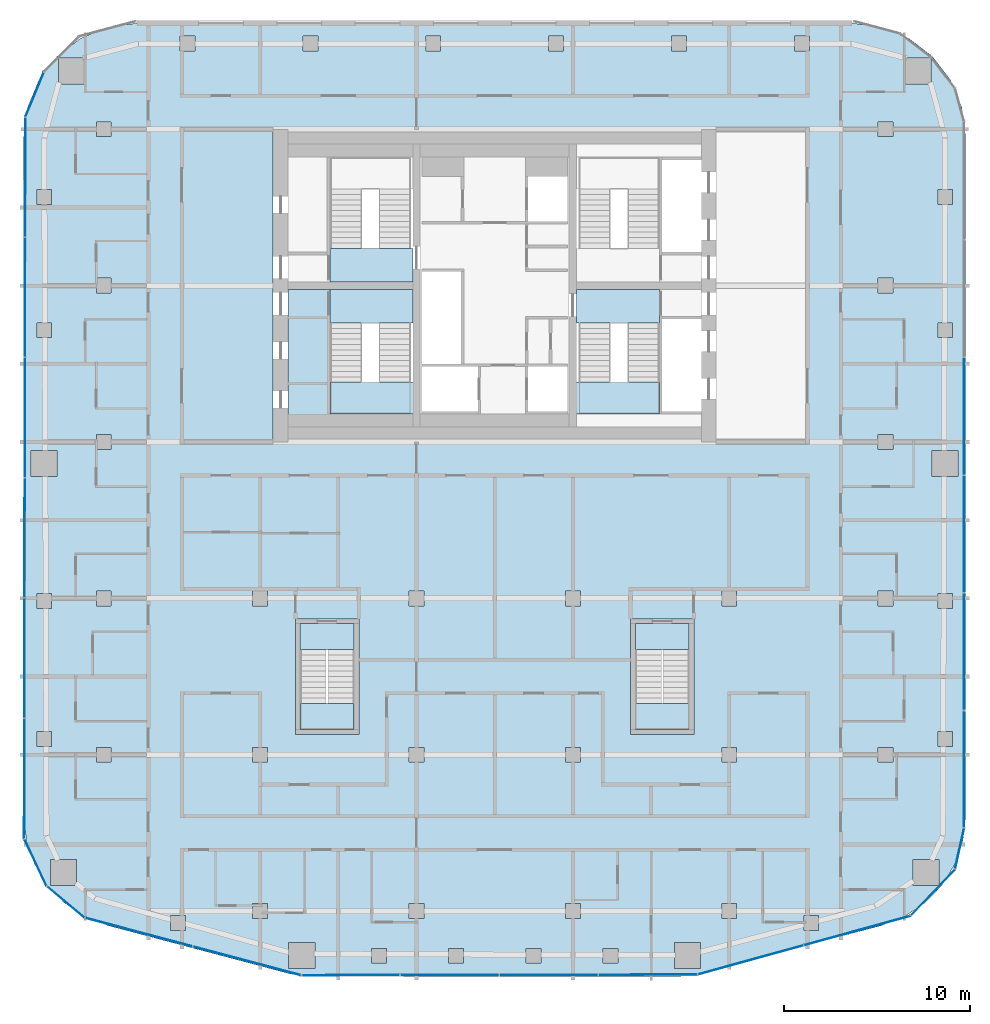
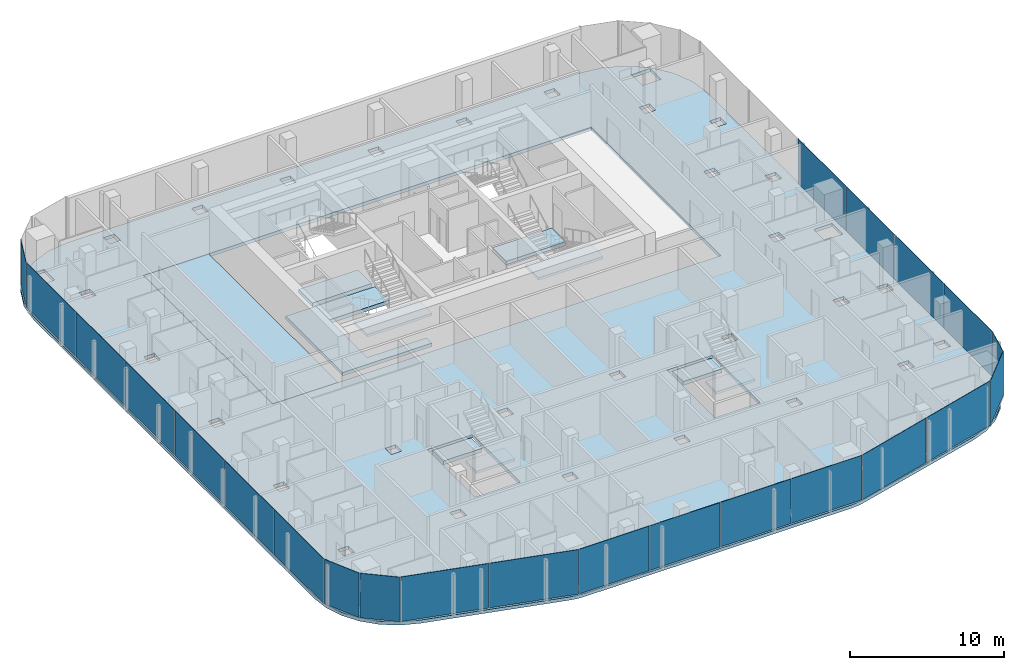
# One storey, part 12 of 22: 23 plates, 12 slabs, 14 elements without a shape of their own.
"""IFC4 building model written with IfcOpenShell, lengths in metres."""

from ifc_helpers import new_model, si_unit, direction, frame, origin, origin_2d, place, context, subcontext, project, spatial, polyline, rectangle, outline, extrude, material, layer, layer_set, type_object, element, aggregate, save


model = new_model("IFC4")

# Units and contexts
model_context = context("Model", 3, precision=1e-05, world=origin(), true_north=direction((0.0, 1.0)))
body_context = subcontext(model_context, "Body", "Model", "MODEL_VIEW")
ifc_project = project(units=[si_unit("LENGTHUNIT", "METRE"), si_unit("AREAUNIT", "SQUARE_METRE"), si_unit("VOLUMEUNIT", "CUBIC_METRE"), si_unit("PLANEANGLEUNIT", "RADIAN"), si_unit("MASSUNIT", "GRAM", prefix="KILO")], contexts=[model_context])

# Site, building, storey
site_placement = place(None, origin())
site = spatial("IfcSite", under=ifc_project, at=site_placement, CompositionType="ELEMENT")
building_placement = place(site_placement, origin())
building = spatial("IfcBuilding", under=site, at=building_placement, Name="Marenta Gate Hotel Tower", CompositionType="ELEMENT")
storey_placement = place(building_placement, frame((0.0, 0.0, 194.89990234375)))
storey = spatial("IfcBuildingStorey", under=building, at=storey_placement, Name="L44", CompositionType="ELEMENT", Elevation=194.89990234375)

# Slabs
ifc_material_1 = material(Name="Concrete C35", Category="concrete")
ifc_layer_1 = layer(ifc_material_1, 0.260009765625)
ifc_layer_set_1 = layer_set([ifc_layer_1], Name="Concrete C35")
slab_type_1 = type_object("IfcSlabType", Name="Concrete floor slab 260", PredefinedType="FLOOR", material=ifc_layer_set_1)
slab_1_placement = place(storey_placement, frame((0.0, 0.0, -0.260009765625)))
element("IfcSlab", 1, at=slab_1_placement, inside=storey, type_object=slab_type_1, Name="L44-SL-1", PredefinedType="FLOOR", context=body_context, shape_type="SweptSolid", body=[
    extrude(outline(polyline([(-23.11376953125, -24.76416015625), (-24.035400390625, -23.803955078125), (-24.72705078125, -22.6669921875), (-25.155517578125, -21.4072265625), (-25.300048828125, -20.08984375), (-25.300048828125, 16.406494140625), (-25.093017578125, 17.97900390625), (-24.483642578125, 19.450439453125), (-23.513916015625, 20.7138671875), (-22.25048828125, 21.68359375), (-20.779052734375, 22.29296875), (-19.20654296875, 22.5), (19.20654296875, 22.5), (20.779052734375, 22.29296875), (22.25048828125, 21.68359375), (23.513916015625, 20.7138671875), (24.483642578125, 19.450439453125), (25.093017578125, 17.97900390625), (25.300048828125, 16.406494140625), (25.300048828125, -20.08984375), (25.155517578125, -21.4072265625), (24.72705078125, -22.6669921875), (24.035400390625, -23.803955078125), (23.11376953125, -24.76416015625), (22.005859375, -25.501220703125), (20.76953125, -25.978759765625), (11.026611328125, -28.563720703125), (10.508544921875, -28.665771484375), (9.981689453125, -28.699951171875), (-9.981689453125, -28.699951171875), (-10.508544921875, -28.665771484375), (-11.026611328125, -28.563720703125), (-20.76953125, -25.978759765625), (-22.005859375, -25.501220703125), (-23.11376953125, -24.76416015625)]), holes=[polyline([(-16.800048828125, 0.0), (16.800048828125, 0.0), (16.800048828125, 16.800048828125), (-16.800048828125, 16.800048828125), (-16.800048828125, 0.0)]), polyline([(-16.606689453125, -25.439208984375), (-17.40673828125, -25.439208984375), (-17.40673828125, -26.239013671875), (-16.606689453125, -26.239013671875), (-16.606689453125, -25.439208984375)]), polyline([(-12.199951171875, -25.60009765625), (-12.199951171875, -24.800048828125), (-13.0, -24.800048828125), (-13.0, -25.60009765625), (-12.199951171875, -25.60009765625)]), polyline([(-22.462890625, -23.8330078125), (-22.462890625, -22.43310546875), (-23.863037109375, -22.43310546875), (-23.863037109375, -23.8330078125), (-22.462890625, -23.8330078125)]), polyline([(-12.199951171875, -16.39990234375), (-13.0, -16.39990234375), (-13.0, -17.199951171875), (-12.199951171875, -17.199951171875), (-12.199951171875, -16.39990234375)]), polyline([(-20.60009765625, -17.199951171875), (-20.60009765625, -16.39990234375), (-21.39990234375, -16.39990234375), (-21.39990234375, -17.199951171875), (-20.60009765625, -17.199951171875)]), polyline([(-23.800048828125, -16.351806640625), (-23.800048828125, -15.552001953125), (-24.60009765625, -15.552001953125), (-24.60009765625, -16.351806640625), (-23.800048828125, -16.351806640625)]), polyline([(-23.800048828125, -8.15087890625), (-24.60009765625, -8.15087890625), (-24.60009765625, -8.950927734375), (-23.800048828125, -8.950927734375), (-23.800048828125, -8.15087890625)]), polyline([(-12.199951171875, -8.800048828125), (-12.199951171875, -8.0), (-13.0, -8.0), (-13.0, -8.800048828125), (-12.199951171875, -8.800048828125)]), polyline([(-20.60009765625, -8.800048828125), (-20.60009765625, -8.0), (-21.39990234375, -8.0), (-21.39990234375, -8.800048828125), (-20.60009765625, -8.800048828125)]), polyline([(-23.5, -0.449951171875), (-24.89990234375, -0.449951171875), (-24.89990234375, -1.85009765625), (-23.5, -1.85009765625), (-23.5, -0.449951171875)]), polyline([(-20.60009765625, -0.39990234375), (-20.60009765625, 0.39990234375), (-21.39990234375, 0.39990234375), (-21.39990234375, -0.39990234375), (-20.60009765625, -0.39990234375)]), polyline([(-23.800048828125, 5.603271484375), (-23.800048828125, 6.4033203125), (-24.60009765625, 6.4033203125), (-24.60009765625, 5.603271484375), (-23.800048828125, 5.603271484375)]), polyline([(-20.60009765625, 8.800048828125), (-21.39990234375, 8.800048828125), (-21.39990234375, 8.0), (-20.60009765625, 8.0), (-20.60009765625, 8.800048828125)]), polyline([(-23.800048828125, 12.75634765625), (-23.800048828125, 13.556396484375), (-24.60009765625, 13.556396484375), (-24.60009765625, 12.75634765625), (-23.800048828125, 12.75634765625)]), polyline([(-20.60009765625, 16.39990234375), (-20.60009765625, 17.199951171875), (-21.39990234375, 17.199951171875), (-21.39990234375, 16.39990234375), (-20.60009765625, 16.39990234375)]), polyline([(-22.035400390625, 20.635498046875), (-23.435546875, 20.635498046875), (-23.435546875, 19.235595703125), (-22.035400390625, 19.235595703125), (-22.035400390625, 20.635498046875)]), polyline([(-16.10693359375, 21.0), (-16.10693359375, 21.800048828125), (-16.906982421875, 21.800048828125), (-16.906982421875, 21.0), (-16.10693359375, 21.0)]), polyline([(-5.820068359375, -28.0), (-5.820068359375, -27.199951171875), (-6.6201171875, -27.199951171875), (-6.6201171875, -28.0), (-5.820068359375, -28.0)]), polyline([(6.6201171875, -27.199951171875), (5.820068359375, -27.199951171875), (5.820068359375, -28.0), (6.6201171875, -28.0), (6.6201171875, -27.199951171875)]), polyline([(2.473388671875, -28.0), (2.473388671875, -27.199951171875), (1.67333984375, -27.199951171875), (1.67333984375, -28.0), (2.473388671875, -28.0)]), polyline([(-1.67333984375, -28.0), (-1.67333984375, -27.199951171875), (-2.473388671875, -27.199951171875), (-2.473388671875, -28.0), (-1.67333984375, -28.0)]), polyline([(-9.666259765625, -28.27490234375), (-9.666259765625, -26.874755859375), (-11.06640625, -26.874755859375), (-11.06640625, -28.27490234375), (-9.666259765625, -28.27490234375)]), polyline([(11.06640625, -28.27490234375), (11.06640625, -26.874755859375), (9.666259765625, -26.874755859375), (9.666259765625, -28.27490234375), (11.06640625, -28.27490234375)]), polyline([(13.0, -25.60009765625), (13.0, -24.800048828125), (12.199951171875, -24.800048828125), (12.199951171875, -25.60009765625), (13.0, -25.60009765625)]), polyline([(4.60009765625, -25.60009765625), (4.60009765625, -24.800048828125), (3.800048828125, -24.800048828125), (3.800048828125, -25.60009765625), (4.60009765625, -25.60009765625)]), polyline([(-3.800048828125, -24.800048828125), (-4.60009765625, -24.800048828125), (-4.60009765625, -25.60009765625), (-3.800048828125, -25.60009765625), (-3.800048828125, -24.800048828125)]), polyline([(4.60009765625, -17.199951171875), (4.60009765625, -16.39990234375), (3.800048828125, -16.39990234375), (3.800048828125, -17.199951171875), (4.60009765625, -17.199951171875)]), polyline([(-3.800048828125, -17.199951171875), (-3.800048828125, -16.39990234375), (-4.60009765625, -16.39990234375), (-4.60009765625, -17.199951171875), (-3.800048828125, -17.199951171875)]), polyline([(4.60009765625, -8.0), (3.800048828125, -8.0), (3.800048828125, -8.800048828125), (4.60009765625, -8.800048828125), (4.60009765625, -8.0)]), polyline([(-3.800048828125, -8.800048828125), (-3.800048828125, -8.0), (-4.60009765625, -8.0), (-4.60009765625, -8.800048828125), (-3.800048828125, -8.800048828125)]), polyline([(-2.9013671875, 21.0), (-2.9013671875, 21.800048828125), (-3.701416015625, 21.800048828125), (-3.701416015625, 21.0), (-2.9013671875, 21.0)]), polyline([(3.701416015625, 21.800048828125), (2.9013671875, 21.800048828125), (2.9013671875, 21.0), (3.701416015625, 21.0), (3.701416015625, 21.800048828125)]), polyline([(10.30419921875, 21.0), (10.30419921875, 21.800048828125), (9.504150390625, 21.800048828125), (9.504150390625, 21.0), (10.30419921875, 21.0)]), polyline([(-9.504150390625, 21.0), (-9.504150390625, 21.800048828125), (-10.30419921875, 21.800048828125), (-10.30419921875, 21.0), (-9.504150390625, 21.0)]), polyline([(17.40673828125, -25.439208984375), (16.606689453125, -25.439208984375), (16.606689453125, -26.239013671875), (17.40673828125, -26.239013671875), (17.40673828125, -25.439208984375)]), polyline([(23.863037109375, -23.8330078125), (23.863037109375, -22.43310546875), (22.462890625, -22.43310546875), (22.462890625, -23.8330078125), (23.863037109375, -23.8330078125)]), polyline([(13.0, -17.199951171875), (13.0, -16.39990234375), (12.199951171875, -16.39990234375), (12.199951171875, -17.199951171875), (13.0, -17.199951171875)]), polyline([(21.39990234375, -16.39990234375), (20.60009765625, -16.39990234375), (20.60009765625, -17.199951171875), (21.39990234375, -17.199951171875), (21.39990234375, -16.39990234375)]), polyline([(24.60009765625, -16.351806640625), (24.60009765625, -15.552001953125), (23.800048828125, -15.552001953125), (23.800048828125, -16.351806640625), (24.60009765625, -16.351806640625)]), polyline([(24.60009765625, -8.950927734375), (24.60009765625, -8.15087890625), (23.800048828125, -8.15087890625), (23.800048828125, -8.950927734375), (24.60009765625, -8.950927734375)]), polyline([(13.0, -8.0), (12.199951171875, -8.0), (12.199951171875, -8.800048828125), (13.0, -8.800048828125), (13.0, -8.0)]), polyline([(21.39990234375, -8.800048828125), (21.39990234375, -8.0), (20.60009765625, -8.0), (20.60009765625, -8.800048828125), (21.39990234375, -8.800048828125)]), polyline([(24.89990234375, -1.85009765625), (24.89990234375, -0.449951171875), (23.5, -0.449951171875), (23.5, -1.85009765625), (24.89990234375, -1.85009765625)]), polyline([(21.39990234375, 0.39990234375), (20.60009765625, 0.39990234375), (20.60009765625, -0.39990234375), (21.39990234375, -0.39990234375), (21.39990234375, 0.39990234375)]), polyline([(24.60009765625, 5.603271484375), (24.60009765625, 6.4033203125), (23.800048828125, 6.4033203125), (23.800048828125, 5.603271484375), (24.60009765625, 5.603271484375)]), polyline([(21.39990234375, 8.0), (21.39990234375, 8.800048828125), (20.60009765625, 8.800048828125), (20.60009765625, 8.0), (21.39990234375, 8.0)]), polyline([(24.60009765625, 12.75634765625), (24.60009765625, 13.556396484375), (23.800048828125, 13.556396484375), (23.800048828125, 12.75634765625), (24.60009765625, 12.75634765625)]), polyline([(21.39990234375, 16.39990234375), (21.39990234375, 17.199951171875), (20.60009765625, 17.199951171875), (20.60009765625, 16.39990234375), (21.39990234375, 16.39990234375)]), polyline([(23.435546875, 19.235595703125), (23.435546875, 20.635498046875), (22.035400390625, 20.635498046875), (22.035400390625, 19.235595703125), (23.435546875, 19.235595703125)]), polyline([(16.906982421875, 21.0), (16.906982421875, 21.800048828125), (16.10693359375, 21.800048828125), (16.10693359375, 21.0), (16.906982421875, 21.0)]), polyline([(-7.300048828125, -15.699951171875), (-7.300048828125, -9.5), (-10.699951171875, -9.5), (-10.699951171875, -15.699951171875), (-7.300048828125, -15.699951171875)]), polyline([(10.699951171875, -15.699951171875), (10.699951171875, -9.5), (7.300048828125, -9.5), (7.300048828125, -15.699951171875), (10.699951171875, -15.699951171875)])]), origin(), (0.0, 0.0, 1.0), 0.260009765625),
])
ifc_material_2 = material(Name="Concrete C40", Category="concrete")
ifc_layer_2 = layer(ifc_material_2, 0.260009765625)
ifc_layer_set_2 = layer_set([ifc_layer_2], Name="Concrete C40")
slab_type_2 = type_object("IfcSlabType", Name="Core floor slab 260", PredefinedType="FLOOR", material=ifc_layer_set_2)
slab_2_placement = place(storey_placement, frame((0.0, 0.0, -0.260009765625)))
element("IfcSlab", 2, at=slab_2_placement, inside=storey, type_object=slab_type_2, Name="L44-CF-5", PredefinedType="FLOOR", context=body_context, shape_type="SweptSolid", body=[
    extrude(outline(polyline([(-8.85009765625, 8.199951171875), (-8.85009765625, 8.10009765625), (-8.85009765625, 6.39990234375), (-8.85009765625, 1.5), (-4.39990234375, 1.5), (-4.39990234375, 0.800048828125), (-11.10009765625, 0.800048828125), (-11.10009765625, 8.199951171875), (-8.85009765625, 8.199951171875)])), origin(), (0.0, 0.0, 1.0), 0.260009765625),
])
slab_3_placement = place(storey_placement, frame((0.0, 0.0, -0.260009765625)))
element("IfcSlab", 3, at=slab_3_placement, inside=storey, type_object=slab_type_2, Name="L44-CF-7", PredefinedType="FLOOR", context=body_context, shape_type="SweptSolid", body=[
    extrude(outline(polyline([(-11.89990234375, 16.800048828125), (-11.89990234375, 0.0), (-16.800048828125, 0.0), (-16.800048828125, 16.800048828125), (-11.89990234375, 16.800048828125)])), origin(), (0.0, 0.0, 1.0), 0.260009765625),
])

# Stair, slab
ifc_material_3 = material(Name="Concrete C40", Category="concrete")
stair_type_1 = type_object("IfcStairType", Name="Core exit stair 1700 wide", PredefinedType="HALF_TURN_STAIR", material=ifc_material_3)
stair_1_placement = place(storey_placement, origin())
stair_1 = element("IfcStair", 4, at=stair_1_placement, inside=storey, type_object=stair_type_1, Name="Exit stair 1", PredefinedType="HALF_TURN_STAIR")
ifc_material_4 = material(Name="Concrete C40", Category="concrete")
ifc_layer_3 = layer(ifc_material_4, 0.199951171875)
ifc_layer_set_3 = layer_set([ifc_layer_3], Name="Concrete C40")
slab_type_3 = type_object("IfcSlabType", Name="Core stair landing 200", PredefinedType="LANDING", material=ifc_layer_set_3)
slab_4_placement = place(storey_placement, frame((0.0, 0.0, 1.60009765625)))
slab_4 = element("IfcSlab", 5, at=slab_4_placement, type_object=slab_type_3, Name="SL-200 ST1 landing 1", PredefinedType="LANDING", context=body_context, shape_type="SweptSolid", body=[
    extrude(outline(polyline([(-8.85009765625, 1.5), (-4.0, 1.5), (-4.0, 3.2099609375), (-8.85009765625, 3.2099609375), (-8.85009765625, 1.5)])), origin(), (0.0, 0.0, 1.0), 0.199951171875),
])
aggregate(stair_1, [slab_4])

stair_2_placement = place(storey_placement, origin())
stair_2 = element("IfcStair", 6, at=stair_2_placement, inside=storey, type_object=stair_type_1, Name="Exit stair 3", PredefinedType="HALF_TURN_STAIR")
slab_5_placement = place(storey_placement, frame((0.0, 0.0, 1.60009765625)))
slab_5 = element("IfcSlab", 7, at=slab_5_placement, type_object=slab_type_3, Name="SL-200 ST3 landing 1", PredefinedType="LANDING", context=body_context, shape_type="SweptSolid", body=[
    extrude(outline(polyline([(4.0, 1.5), (8.85009765625, 1.5), (8.85009765625, 3.2099609375), (4.0, 3.2099609375), (4.0, 1.5)])), origin(), (0.0, 0.0, 1.0), 0.199951171875),
])
aggregate(stair_2, [slab_5])

# Curtain wall, plate
ifc_material_5 = material(Name="Tinted insulated glass in bronze anodised frame", Category="glass")
ifc_layer_4 = layer(ifc_material_5, 0.1201171875)
ifc_layer_set_4 = layer_set([ifc_layer_4], Name="Tinted insulated glass in bronze anodised frame")
curtain_wall_type = type_object("IfcCurtainWallType", Name="Tower unitised curtain wall CW1", PredefinedType="NOTDEFINED", material=ifc_layer_set_4)
curtain_wall_1_placement = place(storey_placement, origin())
curtain_wall_1 = element("IfcCurtainWall", 8, at=curtain_wall_1_placement, inside=storey, type_object=curtain_wall_type, Name="CW1 run G02", PredefinedType="NOTDEFINED")
ifc_material_6 = material(Name="Tinted insulated glass", Category="glass")
ifc_layer_5 = layer(ifc_material_6, 0.028076171875)
ifc_layer_set_5 = layer_set([ifc_layer_5], Name="Tinted insulated glass")
plate_type = type_object("IfcPlateType", Name="Glass panel CW1 28 mm tinted insulated unit", PredefinedType="CURTAIN_PANEL", material=ifc_layer_set_5)
plate_1_placement = place(storey_placement, frame((-24.719482421875, 18.656005859375, 0.06005859375), z_axis=(0.0, 0.0, 1.0), x_axis=(-0.382666772044, -0.923886433266, 0.0)))
plate_1 = element("IfcPlate", 9, at=plate_1_placement, type_object=plate_type, Name="CW1 panel 1.1", PredefinedType="CURTAIN_PANEL", context=body_context, shape_type="SweptSolid", body=[
    extrude(rectangle(XDim=2.57568359375, YDim=0.028076171875, at=origin_2d()), origin(), (0.0, 0.0, 1.0), 3.5400390625),
])
aggregate(curtain_wall_1, [plate_1])

# Curtain wall, plates
curtain_wall_2_placement = place(storey_placement, origin())
curtain_wall_2 = element("IfcCurtainWall", 10, at=curtain_wall_2_placement, inside=storey, type_object=curtain_wall_type, Name="CW1 run G03", PredefinedType="NOTDEFINED")
plate_2_placement = place(storey_placement, frame((-25.21728515625, 14.22119140625, 0.06005859375), z_axis=(0.0, 0.0, 1.0), x_axis=(-0.001566045546, -0.99999877375, 0.0)))
plate_2 = element("IfcPlate", 11, at=plate_2_placement, type_object=plate_type, Name="CW1 panel 1.1", PredefinedType="CURTAIN_PANEL", context=body_context, shape_type="SweptSolid", body=[
    extrude(rectangle(XDim=6.3701171875, YDim=0.028076171875, at=origin_2d()), origin(), (0.0, 0.0, 1.0), 3.5400390625),
])
plate_3_placement = place(storey_placement, frame((-25.2275390625, 7.776123046875, 0.06005859375), z_axis=(0.0, 0.0, 1.0), x_axis=(-0.001566045546, -0.99999877375, 0.0)))
plate_3 = element("IfcPlate", 12, at=plate_3_placement, type_object=plate_type, Name="CW1 panel 2.1", PredefinedType="CURTAIN_PANEL", context=body_context, shape_type="SweptSolid", body=[
    extrude(rectangle(XDim=6.39990234375, YDim=0.028076171875, at=origin_2d()), origin(), (0.0, 0.0, 1.0), 3.5400390625),
])
plate_4_placement = place(storey_placement, frame((-25.237548828125, 1.316162109375, 0.06005859375), z_axis=(0.0, 0.0, 1.0), x_axis=(-0.001566045546, -0.99999877375, 0.0)))
plate_4 = element("IfcPlate", 13, at=plate_4_placement, type_object=plate_type, Name="CW1 panel 3.1", PredefinedType="CURTAIN_PANEL", context=body_context, shape_type="SweptSolid", body=[
    extrude(rectangle(XDim=6.39990234375, YDim=0.028076171875, at=origin_2d()), origin(), (0.0, 0.0, 1.0), 3.5400390625),
])
plate_5_placement = place(storey_placement, frame((-25.247802734375, -5.143798828125, 0.06005859375), z_axis=(0.0, 0.0, 1.0), x_axis=(-0.001566045546, -0.99999877375, 0.0)))
plate_5 = element("IfcPlate", 14, at=plate_5_placement, type_object=plate_type, Name="CW1 panel 4.1", PredefinedType="CURTAIN_PANEL", context=body_context, shape_type="SweptSolid", body=[
    extrude(rectangle(XDim=6.39990234375, YDim=0.028076171875, at=origin_2d()), origin(), (0.0, 0.0, 1.0), 3.5400390625),
])
plate_6_placement = place(storey_placement, frame((-25.2578125, -11.603759765625, 0.06005859375), z_axis=(0.0, 0.0, 1.0), x_axis=(-0.001566045546, -0.99999877375, 0.0)))
plate_6 = element("IfcPlate", 15, at=plate_6_placement, type_object=plate_type, Name="CW1 panel 5.1", PredefinedType="CURTAIN_PANEL", context=body_context, shape_type="SweptSolid", body=[
    extrude(rectangle(XDim=6.39990234375, YDim=0.028076171875, at=origin_2d()), origin(), (0.0, 0.0, 1.0), 3.5400390625),
])
plate_7_placement = place(storey_placement, frame((-25.26806640625, -18.078857421875, 0.06005859375), z_axis=(0.0, 0.0, 1.0), x_axis=(-0.001566045546, -0.99999877375, 0.0)))
plate_7 = element("IfcPlate", 16, at=plate_7_placement, type_object=plate_type, Name="CW1 panel 6.1", PredefinedType="CURTAIN_PANEL", context=body_context, shape_type="SweptSolid", body=[
    extrude(rectangle(XDim=6.429931640625, YDim=0.028076171875, at=origin_2d()), origin(), (0.0, 0.0, 1.0), 3.5400390625),
])
aggregate(curtain_wall_2, [plate_2, plate_3, plate_4, plate_5, plate_6, plate_7])

# Curtain wall, plate
curtain_wall_3_placement = place(storey_placement, origin())
curtain_wall_3 = element("IfcCurtainWall", 17, at=curtain_wall_3_placement, inside=storey, type_object=curtain_wall_type, Name="CW1 run G04", PredefinedType="NOTDEFINED")
plate_8_placement = place(storey_placement, frame((-24.665283203125, -22.594482421875, 0.06005859375), z_axis=(0.0, 0.0, 1.0), x_axis=(0.42333719762, -0.905972194447, 0.0)))
plate_8 = element("IfcPlate", 18, at=plate_8_placement, type_object=plate_type, Name="CW1 panel 1.1", PredefinedType="CURTAIN_PANEL", context=body_context, shape_type="SweptSolid", body=[
    extrude(rectangle(XDim=2.751220703125, YDim=0.028076171875, at=origin_2d()), origin(), (0.0, 0.0, 1.0), 3.5400390625),
])
aggregate(curtain_wall_3, [plate_8])

curtain_wall_4_placement = place(storey_placement, origin())
curtain_wall_4 = element("IfcCurtainWall", 19, at=curtain_wall_4_placement, inside=storey, type_object=curtain_wall_type, Name="CW1 run G05", PredefinedType="NOTDEFINED")
plate_9_placement = place(storey_placement, frame((-23.0361328125, -24.716064453125, 0.06005859375), z_axis=(0.0, 0.0, 1.0), x_axis=(0.767102345594, -0.641524739495, 0.0)))
plate_9 = element("IfcPlate", 20, at=plate_9_placement, type_object=plate_type, Name="CW1 panel 1.1", PredefinedType="CURTAIN_PANEL", context=body_context, shape_type="SweptSolid", body=[
    extrude(rectangle(XDim=2.609375, YDim=0.028076171875, at=origin_2d()), origin(), (0.0, 0.0, 1.0), 3.5400390625),
])
aggregate(curtain_wall_4, [plate_9])

# Curtain wall, plates
curtain_wall_5_placement = place(storey_placement, origin())
curtain_wall_5 = element("IfcCurtainWall", 21, at=curtain_wall_5_placement, inside=storey, type_object=curtain_wall_type, Name="CW1 run G06", PredefinedType="NOTDEFINED")
plate_10_placement = place(storey_placement, frame((-19.113525390625, -26.33056640625, 0.06005859375), z_axis=(0.0, 0.0, 1.0), x_axis=(0.966374375295, -0.257139197271, 0.0)))
plate_10 = element("IfcPlate", 22, at=plate_10_placement, type_object=plate_type, Name="CW1 panel 1.1", PredefinedType="CURTAIN_PANEL", context=body_context, shape_type="SweptSolid", body=[
    extrude(rectangle(XDim=5.927001953125, YDim=0.028076171875, at=origin_2d()), origin(), (0.0, 0.0, 1.0), 3.5400390625),
])
plate_11_placement = place(storey_placement, frame((-13.298828125, -27.877685546875, 0.06005859375), z_axis=(0.0, 0.0, 1.0), x_axis=(0.966374375295, -0.257139197271, 0.0)))
plate_11 = element("IfcPlate", 23, at=plate_11_placement, type_object=plate_type, Name="CW1 panel 2.1", PredefinedType="CURTAIN_PANEL", context=body_context, shape_type="SweptSolid", body=[
    extrude(rectangle(XDim=5.987060546875, YDim=0.028076171875, at=origin_2d()), origin(), (0.0, 0.0, 1.0), 3.5400390625),
])
aggregate(curtain_wall_5, [plate_10, plate_11])

curtain_wall_6_placement = place(storey_placement, origin())
curtain_wall_6 = element("IfcCurtainWall", 24, at=curtain_wall_6_placement, inside=storey, type_object=curtain_wall_type, Name="CW1 run G07", PredefinedType="NOTDEFINED")
plate_12_placement = place(storey_placement, frame((-7.73095703125, -28.64306640625, 0.06005859375), z_axis=(0.0, 0.0, 1.0), x_axis=(0.999998647385, 0.001644757804, 0.0)))
plate_12 = element("IfcPlate", 25, at=plate_12_placement, type_object=plate_type, Name="CW1 panel 1.1", PredefinedType="CURTAIN_PANEL", context=body_context, shape_type="SweptSolid", body=[
    extrude(rectangle(XDim=5.22998046875, YDim=0.028076171875, at=origin_2d()), origin(), (0.0, 0.0, 1.0), 3.5400390625),
])
plate_13_placement = place(storey_placement, frame((-2.426025390625, -28.63427734375, 0.06005859375), z_axis=(0.0, 0.0, 1.0), x_axis=(0.999998647385, 0.001644757804, 0.0)))
plate_13 = element("IfcPlate", 26, at=plate_13_placement, type_object=plate_type, Name="CW1 panel 2.1", PredefinedType="CURTAIN_PANEL", context=body_context, shape_type="SweptSolid", body=[
    extrude(rectangle(XDim=5.260009765625, YDim=0.028076171875, at=origin_2d()), origin(), (0.0, 0.0, 1.0), 3.5400390625),
])
plate_14_placement = place(storey_placement, frame((2.893798828125, -28.625732421875, 0.06005859375), z_axis=(0.0, 0.0, 1.0), x_axis=(0.999998647385, 0.001644757804, 0.0)))
plate_14 = element("IfcPlate", 27, at=plate_14_placement, type_object=plate_type, Name="CW1 panel 3.1", PredefinedType="CURTAIN_PANEL", context=body_context, shape_type="SweptSolid", body=[
    extrude(rectangle(XDim=5.260009765625, YDim=0.028076171875, at=origin_2d()), origin(), (0.0, 0.0, 1.0), 3.5400390625),
])
plate_15_placement = place(storey_placement, frame((8.228759765625, -28.616943359375, 0.06005859375), z_axis=(0.0, 0.0, 1.0), x_axis=(0.999998647385, 0.001644757804, 0.0)))
plate_15 = element("IfcPlate", 28, at=plate_15_placement, type_object=plate_type, Name="CW1 panel 4.1", PredefinedType="CURTAIN_PANEL", context=body_context, shape_type="SweptSolid", body=[
    extrude(rectangle(XDim=5.289794921875, YDim=0.028076171875, at=origin_2d()), origin(), (0.0, 0.0, 1.0), 3.5400390625),
])
aggregate(curtain_wall_6, [plate_12, plate_13, plate_14, plate_15])

curtain_wall_7_placement = place(storey_placement, origin())
curtain_wall_7 = element("IfcCurtainWall", 29, at=curtain_wall_7_placement, inside=storey, type_object=curtain_wall_type, Name="CW1 run G08", PredefinedType="NOTDEFINED")
plate_16_placement = place(storey_placement, frame((13.7509765625, -27.82080078125, 0.06005859375), z_axis=(0.0, 0.0, 1.0), x_axis=(0.964167765212, 0.265293272675, 0.0)))
plate_16 = element("IfcPlate", 30, at=plate_16_placement, type_object=plate_type, Name="CW1 panel 1.1", PredefinedType="CURTAIN_PANEL", context=body_context, shape_type="SweptSolid", body=[
    extrude(rectangle(XDim=5.848388671875, YDim=0.028076171875, at=origin_2d()), origin(), (0.0, 0.0, 1.0), 3.5400390625),
])
plate_17_placement = place(storey_placement, frame((19.4765625, -26.245361328125, 0.06005859375), z_axis=(0.0, 0.0, 1.0), x_axis=(0.964167765212, 0.265293272675, 0.0)))
plate_17 = element("IfcPlate", 31, at=plate_17_placement, type_object=plate_type, Name="CW1 panel 2.1", PredefinedType="CURTAIN_PANEL", context=body_context, shape_type="SweptSolid", body=[
    extrude(rectangle(XDim=5.908203125, YDim=0.028076171875, at=origin_2d()), origin(), (0.0, 0.0, 1.0), 3.5400390625),
])
aggregate(curtain_wall_7, [plate_16, plate_17])

# Curtain wall, plate
curtain_wall_8_placement = place(storey_placement, origin())
curtain_wall_8 = element("IfcCurtainWall", 32, at=curtain_wall_8_placement, inside=storey, type_object=curtain_wall_type, Name="CW1 run G09", PredefinedType="NOTDEFINED")
plate_18_placement = place(storey_placement, frame((23.543212890625, -24.1923828125, 0.06005859375), z_axis=(0.0, 0.0, 1.0), x_axis=(0.692548076564, 0.72137172224, 0.0)))
plate_18 = element("IfcPlate", 33, at=plate_18_placement, type_object=plate_type, Name="CW1 panel 1.1", PredefinedType="CURTAIN_PANEL", context=body_context, shape_type="SweptSolid", body=[
    extrude(rectangle(XDim=3.39892578125, YDim=0.028076171875, at=origin_2d()), origin(), (0.0, 0.0, 1.0), 3.5400390625),
])
aggregate(curtain_wall_8, [plate_18])

curtain_wall_9_placement = place(storey_placement, origin())
curtain_wall_9 = element("IfcCurtainWall", 34, at=curtain_wall_9_placement, inside=storey, type_object=curtain_wall_type, Name="CW1 run G10", PredefinedType="NOTDEFINED")
plate_19_placement = place(storey_placement, frame((24.9736328125, -21.825927734375, 0.06005859375), z_axis=(0.0, 0.0, 1.0), x_axis=(0.216842096529, 0.97620669183, 0.0)))
plate_19 = element("IfcPlate", 35, at=plate_19_placement, type_object=plate_type, Name="CW1 panel 1.1", PredefinedType="CURTAIN_PANEL", context=body_context, shape_type="SweptSolid", body=[
    extrude(rectangle(XDim=2.216796875, YDim=0.028076171875, at=origin_2d()), origin(), (0.0, 0.0, 1.0), 3.5400390625),
])
aggregate(curtain_wall_9, [plate_19])

# Curtain wall, plates
curtain_wall_10_placement = place(storey_placement, origin())
curtain_wall_10 = element("IfcCurtainWall", 36, at=curtain_wall_10_placement, inside=storey, type_object=curtain_wall_type, Name="CW1 run G11", PredefinedType="NOTDEFINED")
plate_20_placement = place(storey_placement, frame((25.214111328125, -17.567626953125, 0.06005859375), z_axis=(0.0, 0.0, 1.0), x_axis=(0.0, 1.0, 0.0)))
plate_20 = element("IfcPlate", 37, at=plate_20_placement, type_object=plate_type, Name="CW1 panel 1.1", PredefinedType="CURTAIN_PANEL", context=body_context, shape_type="SweptSolid", body=[
    extrude(rectangle(XDim=6.232666015625, YDim=0.028076171875, at=origin_2d()), origin(), (0.0, 0.0, 1.0), 3.5400390625),
])
plate_21_placement = place(storey_placement, frame((25.214111328125, -11.260009765625, 0.06005859375), z_axis=(0.0, 0.0, 1.0), x_axis=(0.0, 1.0, 0.0)))
plate_21 = element("IfcPlate", 38, at=plate_21_placement, type_object=plate_type, Name="CW1 panel 2.1", PredefinedType="CURTAIN_PANEL", context=body_context, shape_type="SweptSolid", body=[
    extrude(rectangle(XDim=6.2626953125, YDim=0.028076171875, at=origin_2d()), origin(), (0.0, 0.0, 1.0), 3.5400390625),
])
plate_22_placement = place(storey_placement, frame((25.214111328125, -4.937255859375, 0.06005859375), z_axis=(0.0, 0.0, 1.0), x_axis=(0.0, 1.0, 0.0)))
plate_22 = element("IfcPlate", 39, at=plate_22_placement, type_object=plate_type, Name="CW1 panel 3.1", PredefinedType="CURTAIN_PANEL", context=body_context, shape_type="SweptSolid", body=[
    extrude(rectangle(XDim=6.2626953125, YDim=0.028076171875, at=origin_2d()), origin(), (0.0, 0.0, 1.0), 3.5400390625),
])
plate_23_placement = place(storey_placement, frame((25.214111328125, 1.38525390625, 0.06005859375), z_axis=(0.0, 0.0, 1.0), x_axis=(0.0, 1.0, 0.0)))
plate_23 = element("IfcPlate", 40, at=plate_23_placement, type_object=plate_type, Name="CW1 panel 4.1", PredefinedType="CURTAIN_PANEL", context=body_context, shape_type="SweptSolid", body=[
    extrude(rectangle(XDim=6.2626953125, YDim=0.028076171875, at=origin_2d()), origin(), (0.0, 0.0, 1.0), 3.5400390625),
])
aggregate(curtain_wall_10, [plate_20, plate_21, plate_22, plate_23])

# Stair, slab
ifc_material_7 = material(Name="Concrete C40", Category="concrete")
stair_type_2 = type_object("IfcStairType", Name="Remote exit stair 1400 wide", PredefinedType="HALF_TURN_STAIR", material=ifc_material_7)
stair_3_placement = place(storey_placement, origin())
stair_3 = element("IfcStair", 41, at=stair_3_placement, inside=storey, type_object=stair_type_2, Name="Exit stair RS-Z3-1", PredefinedType="HALF_TURN_STAIR")
ifc_material_8 = material(Name="Concrete C40", Category="concrete")
ifc_layer_6 = layer(ifc_material_8, 0.199951171875)
ifc_layer_set_6 = layer_set([ifc_layer_6], Name="Concrete C40")
slab_type_4 = type_object("IfcSlabType", Name="Remote stair landing 200", PredefinedType="LANDING", material=ifc_layer_set_6)
slab_6_placement = place(storey_placement, frame((0.0, 0.0, 1.60009765625)))
slab_6 = element("IfcSlab", 42, at=slab_6_placement, type_object=slab_type_4, Name="RL-200 RS-Z3-1 landing 1", PredefinedType="LANDING", context=body_context, shape_type="SweptSolid", body=[
    extrude(outline(polyline([(-10.449951171875, -15.449951171875), (-7.550048828125, -15.449951171875), (-7.550048828125, -14.050048828125), (-10.449951171875, -14.050048828125), (-10.449951171875, -15.449951171875)])), origin(), (0.0, 0.0, 1.0), 0.199951171875),
])
aggregate(stair_3, [slab_6])

stair_4_placement = place(storey_placement, origin())
stair_4 = element("IfcStair", 43, at=stair_4_placement, inside=storey, type_object=stair_type_2, Name="Exit stair RS-Z3-2", PredefinedType="HALF_TURN_STAIR")
slab_7_placement = place(storey_placement, frame((0.0, 0.0, 1.60009765625)))
slab_7 = element("IfcSlab", 44, at=slab_7_placement, type_object=slab_type_4, Name="RL-200 RS-Z3-2 landing 1", PredefinedType="LANDING", context=body_context, shape_type="SweptSolid", body=[
    extrude(outline(polyline([(7.550048828125, -15.449951171875), (10.449951171875, -15.449951171875), (10.449951171875, -14.050048828125), (7.550048828125, -14.050048828125), (7.550048828125, -15.449951171875)])), origin(), (0.0, 0.0, 1.0), 0.199951171875),
])
aggregate(stair_4, [slab_7])

# Slabs
ifc_material_9 = material(Name="Concrete C40", Category="concrete")
ifc_layer_7 = layer(ifc_material_9, 0.300048828125)
ifc_layer_set_7 = layer_set([ifc_layer_7], Name="Concrete C40")
slab_type_5 = type_object("IfcSlabType", Name="Stair floor landing slab 300", PredefinedType="FLOOR", material=ifc_layer_set_7)
slab_8_placement = place(storey_placement, frame((0.0, 0.0, -0.2998046875)))
element("IfcSlab", 45, at=slab_8_placement, inside=storey, type_object=slab_type_5, Name="L44-CL-ST1-1", PredefinedType="FLOOR", context=body_context, shape_type="SweptSolid", body=[
    extrude(outline(polyline([(-4.39990234375, 6.39990234375), (-8.85009765625, 6.39990234375), (-8.85009765625, 8.10009765625), (-8.85009765625, 8.199951171875), (-4.39990234375, 8.199951171875), (-4.39990234375, 6.39990234375)])), origin(), (0.0, 0.0, 1.0), 0.2998046875),
])
slab_9_placement = place(storey_placement, frame((0.0, 0.0, -0.2998046875)))
element("IfcSlab", 46, at=slab_9_placement, inside=storey, type_object=slab_type_5, Name="L44-CL-ST2-1", PredefinedType="FLOOR", context=body_context, shape_type="SweptSolid", body=[
    extrude(outline(polyline([(-4.39990234375, 8.60009765625), (-8.85009765625, 8.60009765625), (-8.85009765625, 8.699951171875), (-8.85009765625, 10.39990234375), (-4.39990234375, 10.39990234375), (-4.39990234375, 8.60009765625)])), origin(), (0.0, 0.0, 1.0), 0.2998046875),
])
slab_10_placement = place(storey_placement, frame((0.0, 0.0, -0.2998046875)))
element("IfcSlab", 47, at=slab_10_placement, inside=storey, type_object=slab_type_5, Name="L44-CL-ST3-1", PredefinedType="FLOOR", context=body_context, shape_type="SweptSolid", body=[
    extrude(outline(polyline([(4.39990234375, 6.39990234375), (4.39990234375, 8.199951171875), (8.85009765625, 8.199951171875), (8.85009765625, 8.10009765625), (8.85009765625, 6.39990234375), (4.39990234375, 6.39990234375)])), origin(), (0.0, 0.0, 1.0), 0.2998046875),
])
slab_11_placement = place(storey_placement, frame((0.0, 0.0, -0.2998046875)))
element("IfcSlab", 48, at=slab_11_placement, inside=storey, type_object=slab_type_5, Name="L44-RS-Z3-1-CL", PredefinedType="FLOOR", context=body_context, shape_type="SweptSolid", body=[
    extrude(outline(polyline([(-7.550048828125, -11.14990234375), (-7.550048828125, -9.75), (-10.449951171875, -9.75), (-10.449951171875, -11.14990234375), (-7.550048828125, -11.14990234375)])), origin(), (0.0, 0.0, 1.0), 0.2998046875),
])
slab_12_placement = place(storey_placement, frame((0.0, 0.0, -0.2998046875)))
element("IfcSlab", 49, at=slab_12_placement, inside=storey, type_object=slab_type_5, Name="L44-RS-Z3-2-CL", PredefinedType="FLOOR", context=body_context, shape_type="SweptSolid", body=[
    extrude(outline(polyline([(10.449951171875, -11.14990234375), (10.449951171875, -9.75), (7.550048828125, -9.75), (7.550048828125, -11.14990234375), (10.449951171875, -11.14990234375)])), origin(), (0.0, 0.0, 1.0), 0.2998046875),
])

save(model, "model.ifc")
